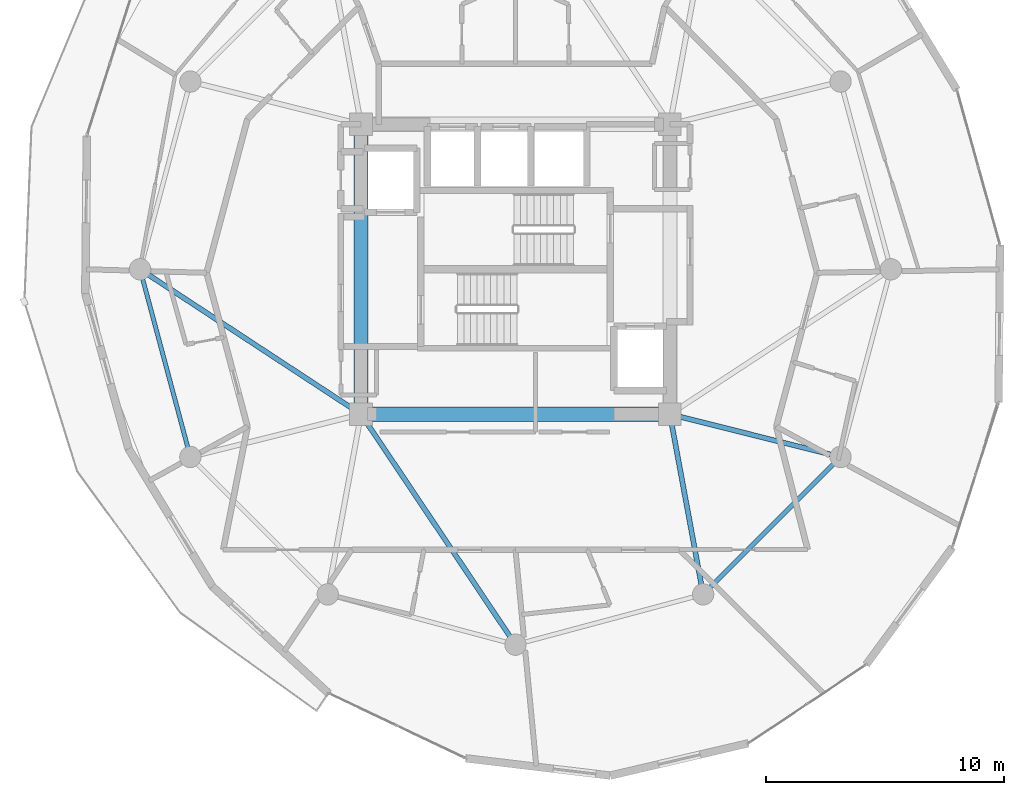
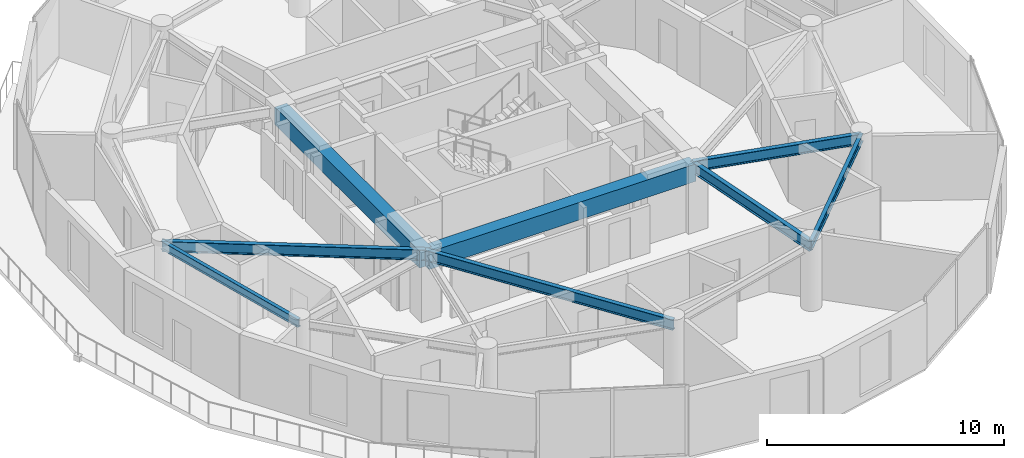
# One storey, part 5 of 20: 8 beams.
"""IFC4 building model written with IfcOpenShell, lengths in metres."""

from ifc_helpers import new_model, si_unit, direction, frame, origin, origin_2d, place, context, subcontext, project, spatial, rectangle, i_section, extrude, material, material_profile, profile_set, type_object, element, save


model = new_model("IFC4")

# Units and contexts
model_context = context("Model", 3, precision=1e-05, world=origin(), true_north=direction((0.0, 1.0)))
body_context = subcontext(model_context, "Body", "Model", "MODEL_VIEW")
ifc_project = project(units=[si_unit("LENGTHUNIT", "METRE"), si_unit("AREAUNIT", "SQUARE_METRE"), si_unit("VOLUMEUNIT", "CUBIC_METRE"), si_unit("PLANEANGLEUNIT", "RADIAN"), si_unit("MASSUNIT", "GRAM", prefix="KILO")], contexts=[model_context])

# Site, building, storey
site_placement = place(None, origin())
site = spatial("IfcSite", under=ifc_project, at=site_placement, CompositionType="ELEMENT")
building_placement = place(site_placement, origin())
building = spatial("IfcBuilding", under=site, at=building_placement, Name="Solvirekh Grand Hotel", CompositionType="ELEMENT")
storey_placement = place(building_placement, frame((0.0, 0.0, 209.199951171875)))
storey = spatial("IfcBuildingStorey", under=building, at=storey_placement, Name="L54", CompositionType="ELEMENT", Elevation=209.199951171875)

# Beams
ifc_material_1 = material(Name="Concrete C50/60", Category="concrete")
ifc_material_profile_1 = material_profile(ifc_material_1, rectangle(XDim=0.60009765625, YDim=0.89990234375, at=origin_2d()), Name="RC BEAM 600X900")
ifc_profile_set_1 = profile_set([ifc_material_profile_1], Name="Concrete C50/60")
beam_type_1 = type_object("IfcBeamType", Name="Beam_Core_RC900", PredefinedType="BEAM", material=ifc_profile_set_1)
beam_1_placement = place(storey_placement, frame((-6.5, -6.10009765625, 2.91015625), z_axis=(1.0, 0.0, 0.0), x_axis=(0.0, 1.0, 0.0)))
element("IfcBeam", 1, at=beam_1_placement, inside=storey, type_object=beam_type_1, Name="L54 core coupling ring beam 1", PredefinedType="BEAM", context=body_context, shape_type="SweptSolid", body=[
    extrude(rectangle(XDim=0.60009765625, YDim=0.89990234375, at=origin_2d()), origin(), (0.0, 0.0, 1.0), 13.0),
])
beam_2_placement = place(storey_placement, frame((-6.5, 6.10009765625, 2.91015625), z_axis=(0.0, -1.0, 0.0), x_axis=(1.0, 0.0, 0.0)))
element("IfcBeam", 2, at=beam_2_placement, inside=storey, type_object=beam_type_1, Name="L54 core coupling ring beam 4", PredefinedType="BEAM", context=body_context, shape_type="SweptSolid", body=[
    extrude(rectangle(XDim=0.60009765625, YDim=0.89990234375, at=origin_2d()), origin(), (0.0, 0.0, 1.0), 12.2001953125),
])
ifc_material_2 = material(Name="Steel S355", Category="steel")
ifc_material_profile_2 = material_profile(ifc_material_2, i_section(OverallWidth=0.2119140625, OverallDepth=0.5439453125, WebThickness=0.011962890625, FlangeThickness=0.01904296875, FilletRadius=0.013916015625, at=origin_2d()), Name="W530X123")
ifc_profile_set_2 = profile_set([ifc_material_profile_2], Name="Steel S355")
beam_type_2 = type_object("IfcBeamType", Name="Beam_Radial_W530H", PredefinedType="BEAM", material=ifc_profile_set_2)
beam_3_placement = place(storey_placement, frame((-6.5, -6.10009765625, 3.088134765625), z_axis=(-0.836174064962, 0.548464158432, 0.0), x_axis=(-0.548464158432, -0.836174064962, 0.0)))
element("IfcBeam", 3, at=beam_3_placement, inside=storey, type_object=beam_type_2, Name="L54 radial floor beam R07", PredefinedType="BEAM", context=body_context, shape_type="SweptSolid", body=[
    extrude(i_section(OverallWidth=0.2119140625, OverallDepth=0.5439453125, WebThickness=0.011962890625, FlangeThickness=0.01904296875, FilletRadius=0.013916015625, at=origin_2d()), origin(), (0.0, 0.0, 1.0), 11.1220703125),
])
beam_4_placement = place(storey_placement, frame((-6.5, -6.10009765625, 3.088134765625), z_axis=(0.556676926176, -0.830729077295, 0.0), x_axis=(0.830729077295, 0.556676926176, 0.0)))
element("IfcBeam", 4, at=beam_4_placement, inside=storey, type_object=beam_type_2, Name="L54 radial floor beam R10", PredefinedType="BEAM", context=body_context, shape_type="SweptSolid", body=[
    extrude(i_section(OverallWidth=0.2119140625, OverallDepth=0.5439453125, WebThickness=0.011962890625, FlangeThickness=0.01904296875, FilletRadius=0.013916015625, at=origin_2d()), origin(), (0.0, 0.0, 1.0), 11.676513671875),
])
beam_5_placement = place(storey_placement, frame((6.5, -6.10009765625, 3.088134765625), z_axis=(0.181542769111, -0.983383049978, 0.0), x_axis=(0.983383049978, 0.181542769111, 0.0)))
element("IfcBeam", 5, at=beam_5_placement, inside=storey, type_object=beam_type_2, Name="L54 radial floor beam R11", PredefinedType="BEAM", context=body_context, shape_type="SweptSolid", body=[
    extrude(i_section(OverallWidth=0.2119140625, OverallDepth=0.5439453125, WebThickness=0.011962890625, FlangeThickness=0.01904296875, FilletRadius=0.013916015625, at=origin_2d()), origin(), (0.0, 0.0, 1.0), 7.711181640625),
])
beam_6_placement = place(storey_placement, frame((6.5, -6.10009765625, 3.088134765625), z_axis=(0.970014367692, -0.243047580675, 0.0), x_axis=(0.243047580675, 0.970014367692, 0.0)))
element("IfcBeam", 6, at=beam_6_placement, inside=storey, type_object=beam_type_2, Name="L54 radial floor beam R12", PredefinedType="BEAM", context=body_context, shape_type="SweptSolid", body=[
    extrude(i_section(OverallWidth=0.2119140625, OverallDepth=0.5439453125, WebThickness=0.011962890625, FlangeThickness=0.01904296875, FilletRadius=0.013916015625, at=origin_2d()), origin(), (0.0, 0.0, 1.0), 7.4052734375),
])
ifc_material_profile_3 = material_profile(ifc_material_2, i_section(OverallWidth=0.180908203125, OverallDepth=0.4169921875, WebThickness=0.010009765625, FlangeThickness=0.01611328125, FilletRadius=0.011962890625, at=origin_2d()), Name="W410X85")
ifc_profile_set_3 = profile_set([ifc_material_profile_3], Name="Steel S355")
beam_type_3 = type_object("IfcBeamType", Name="Spandrel_Ring_W410", PredefinedType="SPANDREL", material=ifc_profile_set_3)
for number, where, z_axis, x_axis, name in (
    (7, (-15.800048828125, 0.0, 3.152099609375), (0.258838541915, -0.965920601923, 0.0), (0.965920601923, 0.258838541915, 0.0), "L54 perimeter spandrel beam 7"),
    (8, (7.89990234375, -13.68310546875, 3.152099609375), (0.707106781187, 0.707106781187, 0.0), (-0.707106781187, 0.707106781187, 0.0), "L54 perimeter spandrel beam 11"),
):
    element("IfcBeam", number, at=place(storey_placement, frame(where, z_axis=z_axis, x_axis=x_axis)), inside=storey, type_object=beam_type_3, Name=name, PredefinedType="SPANDREL", context=body_context, shape_type="SweptSolid", body=[
        extrude(i_section(OverallWidth=0.180908203125, OverallDepth=0.4169921875, WebThickness=0.010009765625, FlangeThickness=0.01611328125, FilletRadius=0.011962890625, at=origin_2d()), origin(), (0.0, 0.0, 1.0), 8.1787109375),
    ])

save(model, "model.ifc")
